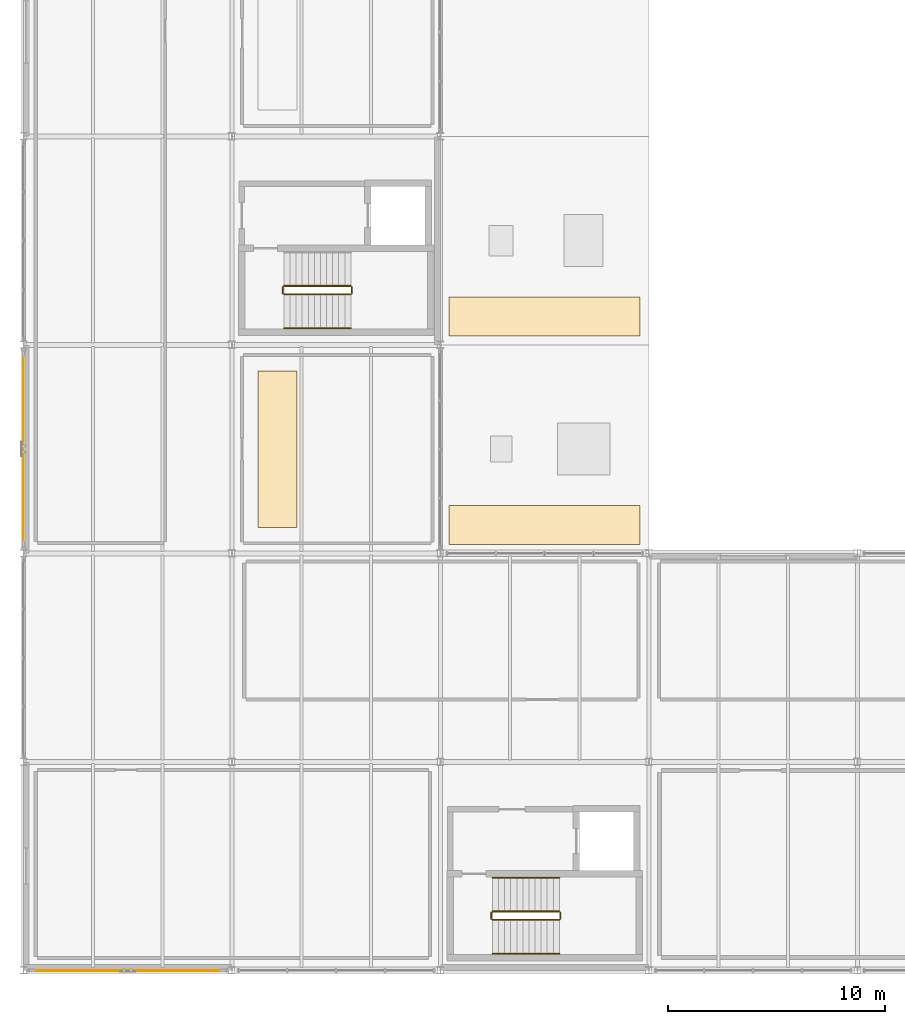
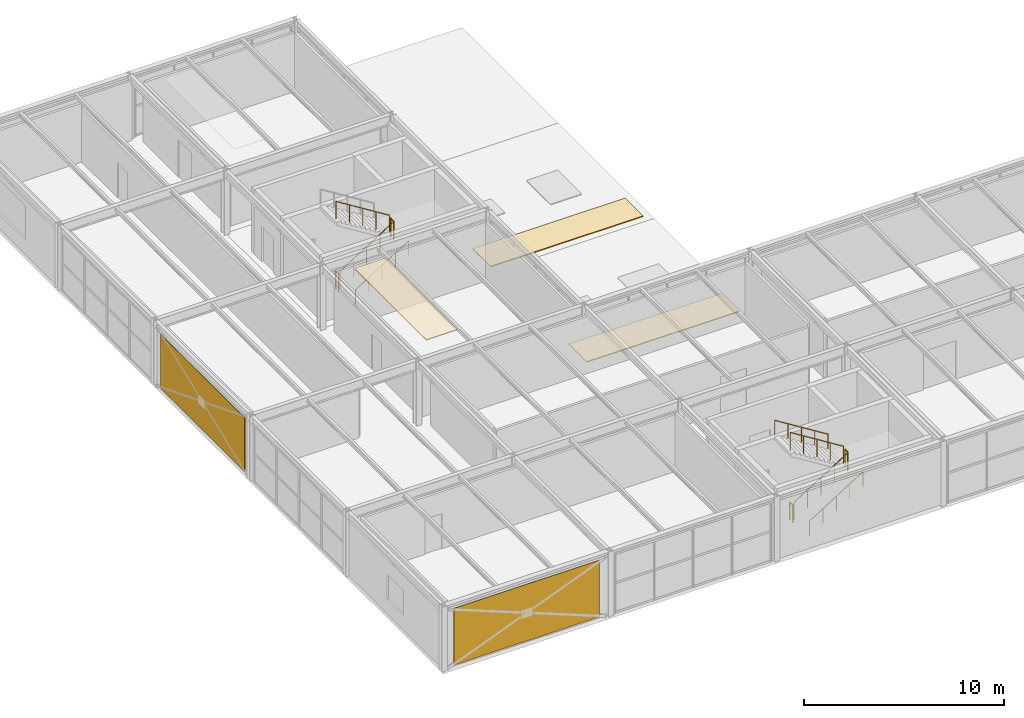
# One storey, part 47 of 50: 11 railings, 5 coverings.
"""IFC4 building model written with IfcOpenShell, lengths in metres."""

from ifc_helpers import new_model, si_unit, direction, frame, origin, origin_2d, place, context, subcontext, project, spatial, polyline, rectangle, circle, outline, extrude, material, layer, layer_set, type_object, element, save


model = new_model("IFC4")

# Units and contexts
model_context = context("Model", 3, precision=1e-05, world=origin(), true_north=direction((0.0, 1.0)))
body_context = subcontext(model_context, "Body", "Model", "MODEL_VIEW")
ifc_project = project(units=[si_unit("LENGTHUNIT", "METRE"), si_unit("AREAUNIT", "SQUARE_METRE"), si_unit("VOLUMEUNIT", "CUBIC_METRE"), si_unit("PLANEANGLEUNIT", "RADIAN"), si_unit("MASSUNIT", "GRAM", prefix="KILO")], contexts=[model_context])

# Site, building, storey
site_placement = place(None, origin())
site = spatial("IfcSite", under=ifc_project, at=site_placement, CompositionType="ELEMENT")
building_placement = place(site_placement, origin())
building = spatial("IfcBuilding", under=site, at=building_placement, Name="Coralgate Yard Interchange", CompositionType="ELEMENT")
storey_placement = place(building_placement, frame((0.0, 0.0, 14.699951171875)))
storey = spatial("IfcBuildingStorey", under=building, at=storey_placement, Name="L03", CompositionType="ELEMENT", Elevation=14.699951171875)

# Coverings
ifc_material_1 = material(Name="Perforated marine-grade aluminium acoustic ceiling raft", Category="aluminium")
ifc_layer_1 = layer(ifc_material_1, 0.0400390625)
ifc_layer_set_1 = layer_set([ifc_layer_1], Name="Perforated marine-grade aluminium acoustic ceiling raft")
covering_type_1 = type_object("IfcCoveringType", Name="COV-CEL1", PredefinedType="CEILING", material=ifc_layer_set_1)
covering_1_placement = place(storey_placement, frame((0.0, 0.0, 3.945068359375)))
element("IfcCovering", 1, at=covering_1_placement, inside=storey, type_object=covering_type_1, Name="Staff Welfare and HR Advisory Office acoustic soffit panel", PredefinedType="CEILING", context=body_context, shape_type="SweptSolid", body=[
    extrude(outline(polyline([(10.800048828125, 20.39990234375), (12.60009765625, 20.39990234375), (12.60009765625, 27.60009765625), (10.800048828125, 27.60009765625), (10.800048828125, 20.39990234375)])), origin(), (0.0, 0.0, 1.0), 0.0400390625),
])
ifc_material_2 = material(Name="Coral-buff architectural terracotta rainscreen cladding", Category="masonry")
ifc_layer_2 = layer(ifc_material_2, 0.0400390625)
ifc_layer_set_2 = layer_set([ifc_layer_2], Name="Coral-buff architectural terracotta rainscreen cladding")
covering_type_2 = type_object("IfcCoveringType", Name="COV-CLD1", PredefinedType="CLADDING", material=ifc_layer_set_2)
covering_2_placement = place(storey_placement, frame((4.800048828125, -0.02001953125, 0.10009765625), z_axis=(0.0, 0.0, 1.0), x_axis=(-1.0, 0.0, 0.0)))
element("IfcCovering", 2, at=covering_2_placement, inside=storey, type_object=covering_type_2, Name="L03 coastal terracotta cladding panel S-0-0", PredefinedType="CLADDING", context=body_context, shape_type="SweptSolid", body=[
    extrude(rectangle(XDim=8.39990234375, YDim=0.0400390625, at=origin_2d()), origin(), (0.0, 0.0, 1.0), 3.4599609375),
])
covering_3_placement = place(storey_placement, frame((-0.02001953125, 24.0, 0.10009765625), z_axis=(0.0, 0.0, 1.0), x_axis=(0.0, 1.0, 0.0)))
element("IfcCovering", 3, at=covering_3_placement, inside=storey, type_object=covering_type_2, Name="L03 coastal terracotta cladding panel W-0-2", PredefinedType="CLADDING", context=body_context, shape_type="SweptSolid", body=[
    extrude(rectangle(XDim=8.39990234375, YDim=0.0400390625, at=origin_2d()), origin(), (0.0, 0.0, 1.0), 3.29296875),
])
ifc_material_3 = material(Name="High-albedo solar-reflective TPO coastal roof membrane")
ifc_layer_3 = layer(ifc_material_3, 0.050048828125)
ifc_layer_set_3 = layer_set([ifc_layer_3], Name="High-albedo solar-reflective TPO coastal roof membrane")
covering_type_3 = type_object("IfcCoveringType", Name="COV-ROF1", PredefinedType="ROOFING", material=ifc_layer_set_3)
covering_4_placement = place(storey_placement, origin())
element("IfcCovering", 4, at=covering_4_placement, inside=storey, type_object=covering_type_3, Name="L03 high-albedo TPO roof membrane 5", PredefinedType="ROOFING", context=body_context, shape_type="SweptSolid", body=[
    extrude(outline(polyline([(19.60009765625, 19.60009765625), (28.39990234375, 19.60009765625), (28.39990234375, 21.39990234375), (19.60009765625, 21.39990234375), (19.60009765625, 19.60009765625)])), origin(), (0.0, 0.0, 1.0), 0.050048828125),
])
covering_5_placement = place(storey_placement, origin())
element("IfcCovering", 5, at=covering_5_placement, inside=storey, type_object=covering_type_3, Name="L03 high-albedo TPO roof membrane 6", PredefinedType="ROOFING", context=body_context, shape_type="SweptSolid", body=[
    extrude(outline(polyline([(19.60009765625, 29.199951171875), (28.39990234375, 29.199951171875), (28.39990234375, 31.0), (19.60009765625, 31.0), (19.60009765625, 29.199951171875)])), origin(), (0.0, 0.0, 1.0), 0.050048828125),
])

# Railings
ifc_material_4 = material(Name="Grade 316 marine stainless steel and toughened glass balustrade", Category="steel")
railing_type_1 = type_object("IfcRailingType", Name="RLG-GD1100", PredefinedType="BALUSTRADE", material=ifc_material_4)
railing_1_placement = place(storey_placement, frame((12.0, 31.1201171875, 0.175048828125)))
element("IfcRailing", 6, at=railing_1_placement, inside=storey, type_object=railing_type_1, Name="L03 ST-01 stair guard 1", PredefinedType="BALUSTRADE", context=body_context, shape_type="SweptSolid", body=[
    extrude(circle(Radius=0.02392578125, at=origin_2d()), frame((0.0, 0.0, 1.076171875), z_axis=(0.847998304005, 0.0, 0.529998940003), x_axis=(0.0, 1.0, 0.0)), (0.0, 0.0, 1.0), 3.632080078125),
    extrude(circle(Radius=0.02099609375, at=origin_2d()), origin(), (0.0, 0.0, 1.0), 1.051513671875),
    extrude(circle(Radius=0.02099609375, at=origin_2d()), frame((0.77001953125, 0.0, 0.481201171875)), (0.0, 0.0, 1.0), 1.051513671875),
    extrude(circle(Radius=0.02099609375, at=origin_2d()), frame((1.5400390625, 0.0, 0.96240234375)), (0.0, 0.0, 1.0), 1.051513671875),
    extrude(circle(Radius=0.02099609375, at=origin_2d()), frame((2.31005859375, 0.0, 1.44384765625)), (0.0, 0.0, 1.0), 1.051513671875),
    extrude(circle(Radius=0.02099609375, at=origin_2d()), frame((3.080078125, 0.0, 1.925048828125)), (0.0, 0.0, 1.0), 1.051513671875),
])
railing_2_placement = place(storey_placement, frame((15.1298828125, 31.169921875, 2.10009765625)))
element("IfcRailing", 7, at=railing_2_placement, inside=storey, type_object=railing_type_1, Name="L03 ST-01 stair guard 2", PredefinedType="BALUSTRADE", context=body_context, shape_type="SweptSolid", body=[
    extrude(circle(Radius=0.02392578125, at=origin_2d()), frame((0.0, 0.0, 1.076171875), z_axis=(0.0, 1.0, 0.0), x_axis=(-1.0, 0.0, 0.0)), (0.0, 0.0, 1.0), 0.2900390625),
    extrude(circle(Radius=0.02099609375, at=origin_2d()), origin(), (0.0, 0.0, 1.0), 1.051513671875),
    extrude(circle(Radius=0.02099609375, at=origin_2d()), frame((0.0, 0.2900390625, 0.0)), (0.0, 0.0, 1.0), 1.051513671875),
])
railing_3_placement = place(storey_placement, frame((15.080078125, 31.510009765625, 2.275146484375)))
element("IfcRailing", 8, at=railing_3_placement, inside=storey, type_object=railing_type_1, Name="L03 ST-01 stair guard 3", PredefinedType="BALUSTRADE", context=body_context, shape_type="SweptSolid", body=[
    extrude(circle(Radius=0.02392578125, at=origin_2d()), frame((0.0, 0.0, 1.076171875), z_axis=(-0.848028513186, 0.0, 0.529950602248), x_axis=(0.0, -1.0, 0.0)), (0.0, 0.0, 1.0), 3.632080078125),
    extrude(circle(Radius=0.02099609375, at=origin_2d()), origin(), (0.0, 0.0, 1.0), 1.051513671875),
    extrude(circle(Radius=0.02099609375, at=origin_2d()), frame((-0.77001953125, 0.0, 0.481201171875)), (0.0, 0.0, 1.0), 1.051513671875),
    extrude(circle(Radius=0.02099609375, at=origin_2d()), frame((-1.5400390625, 0.0, 0.96240234375)), (0.0, 0.0, 1.0), 1.051513671875),
    extrude(circle(Radius=0.02099609375, at=origin_2d()), frame((-2.31005859375, 0.0, 1.443603515625)), (0.0, 0.0, 1.0), 1.051513671875),
    extrude(circle(Radius=0.02099609375, at=origin_2d()), frame((-3.080078125, 0.0, 1.9248046875)), (0.0, 0.0, 1.0), 1.051513671875),
])
railing_4_placement = place(storey_placement, frame((11.949951171875, 31.169921875, 0.0)))
element("IfcRailing", 9, at=railing_4_placement, inside=storey, type_object=railing_type_1, Name="L03 ST-01 stair guard 4", PredefinedType="BALUSTRADE", context=body_context, shape_type="SweptSolid", body=[
    extrude(circle(Radius=0.02392578125, at=origin_2d()), frame((0.0, 0.0, 1.076171875), z_axis=(0.0, 1.0, 0.0), x_axis=(-1.0, 0.0, 0.0)), (0.0, 0.0, 1.0), 0.2900390625),
    extrude(circle(Radius=0.02099609375, at=origin_2d()), origin(), (0.0, 0.0, 1.0), 1.051513671875),
    extrude(circle(Radius=0.02099609375, at=origin_2d()), frame((0.0, 0.2900390625, 0.0)), (0.0, 0.0, 1.0), 1.051513671875),
])
railing_5_placement = place(storey_placement, frame((21.60009765625, 2.320068359375, 0.175048828125)))
element("IfcRailing", 10, at=railing_5_placement, inside=storey, type_object=railing_type_1, Name="L03 ST-03 stair guard 1", PredefinedType="BALUSTRADE", context=body_context, shape_type="SweptSolid", body=[
    extrude(circle(Radius=0.02392578125, at=origin_2d()), frame((0.0, 0.0, 1.076171875), z_axis=(0.847979421464, 0.0, 0.530029150871), x_axis=(0.0, 1.0, 0.0)), (0.0, 0.0, 1.0), 3.632080078125),
    extrude(circle(Radius=0.02099609375, at=origin_2d()), origin(), (0.0, 0.0, 1.0), 1.051513671875),
    extrude(circle(Radius=0.02099609375, at=origin_2d()), frame((0.77001953125, 0.0, 0.481201171875)), (0.0, 0.0, 1.0), 1.051513671875),
    extrude(circle(Radius=0.02099609375, at=origin_2d()), frame((1.5400390625, 0.0, 0.96240234375)), (0.0, 0.0, 1.0), 1.051513671875),
    extrude(circle(Radius=0.02099609375, at=origin_2d()), frame((2.309814453125, 0.0, 1.44384765625)), (0.0, 0.0, 1.0), 1.051513671875),
    extrude(circle(Radius=0.02099609375, at=origin_2d()), frame((3.079833984375, 0.0, 1.925048828125)), (0.0, 0.0, 1.0), 1.051513671875),
])
railing_6_placement = place(storey_placement, frame((24.72998046875, 2.3701171875, 2.10009765625)))
element("IfcRailing", 11, at=railing_6_placement, inside=storey, type_object=railing_type_1, Name="L03 ST-03 stair guard 2", PredefinedType="BALUSTRADE", context=body_context, shape_type="SweptSolid", body=[
    extrude(circle(Radius=0.02392578125, at=origin_2d()), frame((0.0, 0.0, 1.076171875), z_axis=(0.0, 1.0, 0.0), x_axis=(-1.0, 0.0, 0.0)), (0.0, 0.0, 1.0), 0.289794921875),
    extrude(circle(Radius=0.02099609375, at=origin_2d()), origin(), (0.0, 0.0, 1.0), 1.051513671875),
    extrude(circle(Radius=0.02099609375, at=origin_2d()), frame((0.0, 0.289794921875, 0.0)), (0.0, 0.0, 1.0), 1.051513671875),
])
railing_7_placement = place(storey_placement, frame((24.679931640625, 2.7099609375, 2.275146484375)))
element("IfcRailing", 12, at=railing_7_placement, inside=storey, type_object=railing_type_1, Name="L03 ST-03 stair guard 3", PredefinedType="BALUSTRADE", context=body_context, shape_type="SweptSolid", body=[
    extrude(circle(Radius=0.02392578125, at=origin_2d()), frame((0.0, 0.0, 1.076171875), z_axis=(-0.848009633417, 0.0, 0.529980812513), x_axis=(0.0, -1.0, 0.0)), (0.0, 0.0, 1.0), 3.6318359375),
    extrude(circle(Radius=0.02099609375, at=origin_2d()), origin(), (0.0, 0.0, 1.0), 1.051513671875),
    extrude(circle(Radius=0.02099609375, at=origin_2d()), frame((-0.77001953125, 0.0, 0.481201171875)), (0.0, 0.0, 1.0), 1.051513671875),
    extrude(circle(Radius=0.02099609375, at=origin_2d()), frame((-1.5400390625, 0.0, 0.96240234375)), (0.0, 0.0, 1.0), 1.051513671875),
    extrude(circle(Radius=0.02099609375, at=origin_2d()), frame((-2.309814453125, 0.0, 1.443603515625)), (0.0, 0.0, 1.0), 1.051513671875),
    extrude(circle(Radius=0.02099609375, at=origin_2d()), frame((-3.079833984375, 0.0, 1.9248046875)), (0.0, 0.0, 1.0), 1.051513671875),
])
railing_8_placement = place(storey_placement, frame((21.550048828125, 2.3701171875, 0.0)))
element("IfcRailing", 13, at=railing_8_placement, inside=storey, type_object=railing_type_1, Name="L03 ST-03 stair guard 4", PredefinedType="BALUSTRADE", context=body_context, shape_type="SweptSolid", body=[
    extrude(circle(Radius=0.02392578125, at=origin_2d()), frame((0.0, 0.0, 1.076171875), z_axis=(0.0, 1.0, 0.0), x_axis=(-1.0, 0.0, 0.0)), (0.0, 0.0, 1.0), 0.289794921875),
    extrude(circle(Radius=0.02099609375, at=origin_2d()), origin(), (0.0, 0.0, 1.0), 1.051513671875),
    extrude(circle(Radius=0.02099609375, at=origin_2d()), frame((0.0, 0.289794921875, 0.0)), (0.0, 0.0, 1.0), 1.051513671875),
])
ifc_material_5 = material(Name="Grade 316 marine stainless steel", Category="steel")
railing_type_2 = type_object("IfcRailingType", Name="RLG-HR900", PredefinedType="HANDRAIL", material=ifc_material_5)
railing_9_placement = place(storey_placement, frame((12.0, 29.570068359375, 0.175048828125)))
element("IfcRailing", 14, at=railing_9_placement, inside=storey, type_object=railing_type_2, Name="L03 ST-01 stair handrail 1", PredefinedType="HANDRAIL", context=body_context, shape_type="SweptSolid", body=[
    extrude(circle(Radius=0.02392578125, at=origin_2d()), frame((0.0, 0.0, 0.8759765625), z_axis=(0.847998304005, 0.0, 0.529998940003), x_axis=(0.0, 1.0, 0.0)), (0.0, 0.0, 1.0), 3.632080078125),
    extrude(circle(Radius=0.02099609375, at=origin_2d()), origin(), (0.0, 0.0, 1.0), 0.851318359375),
    extrude(circle(Radius=0.02099609375, at=origin_2d()), frame((0.77001953125, 0.0, 0.481201171875)), (0.0, 0.0, 1.0), 0.851318359375),
    extrude(circle(Radius=0.02099609375, at=origin_2d()), frame((1.5400390625, 0.0, 0.96240234375)), (0.0, 0.0, 1.0), 0.851318359375),
    extrude(circle(Radius=0.02099609375, at=origin_2d()), frame((2.31005859375, 0.0, 1.44384765625)), (0.0, 0.0, 1.0), 0.851318359375),
    extrude(circle(Radius=0.02099609375, at=origin_2d()), frame((3.080078125, 0.0, 1.925048828125)), (0.0, 0.0, 1.0), 0.851318359375),
])
railing_10_placement = place(storey_placement, frame((21.60009765625, 0.77001953125, 0.175048828125)))
element("IfcRailing", 15, at=railing_10_placement, inside=storey, type_object=railing_type_2, Name="L03 ST-03 stair handrail 1", PredefinedType="HANDRAIL", context=body_context, shape_type="SweptSolid", body=[
    extrude(circle(Radius=0.02392578125, at=origin_2d()), frame((0.0, 0.0, 0.8759765625), z_axis=(0.847979421464, 0.0, 0.530029150871), x_axis=(0.0, 1.0, 0.0)), (0.0, 0.0, 1.0), 3.632080078125),
    extrude(circle(Radius=0.02099609375, at=origin_2d()), origin(), (0.0, 0.0, 1.0), 0.851318359375),
    extrude(circle(Radius=0.02099609375, at=origin_2d()), frame((0.77001953125, 0.0, 0.481201171875)), (0.0, 0.0, 1.0), 0.851318359375),
    extrude(circle(Radius=0.02099609375, at=origin_2d()), frame((1.5400390625, 0.0, 0.96240234375)), (0.0, 0.0, 1.0), 0.851318359375),
    extrude(circle(Radius=0.02099609375, at=origin_2d()), frame((2.309814453125, 0.0, 1.44384765625)), (0.0, 0.0, 1.0), 0.851318359375),
    extrude(circle(Radius=0.02099609375, at=origin_2d()), frame((3.079833984375, 0.0, 1.925048828125)), (0.0, 0.0, 1.0), 0.851318359375),
])
railing_11_placement = place(storey_placement, frame((24.679931640625, 4.260009765625, 2.275146484375)))
element("IfcRailing", 16, at=railing_11_placement, inside=storey, type_object=railing_type_2, Name="L03 ST-03 stair handrail 2", PredefinedType="HANDRAIL", context=body_context, shape_type="SweptSolid", body=[
    extrude(circle(Radius=0.02392578125, at=origin_2d()), frame((0.0, 0.0, 0.8759765625), z_axis=(-0.848009633417, 0.0, 0.529980812513), x_axis=(0.0, -1.0, 0.0)), (0.0, 0.0, 1.0), 3.6318359375),
    extrude(circle(Radius=0.02099609375, at=origin_2d()), origin(), (0.0, 0.0, 1.0), 0.851318359375),
    extrude(circle(Radius=0.02099609375, at=origin_2d()), frame((-0.77001953125, 0.0, 0.481201171875)), (0.0, 0.0, 1.0), 0.851318359375),
    extrude(circle(Radius=0.02099609375, at=origin_2d()), frame((-1.5400390625, 0.0, 0.96240234375)), (0.0, 0.0, 1.0), 0.851318359375),
    extrude(circle(Radius=0.02099609375, at=origin_2d()), frame((-2.309814453125, 0.0, 1.443603515625)), (0.0, 0.0, 1.0), 0.851318359375),
    extrude(circle(Radius=0.02099609375, at=origin_2d()), frame((-3.079833984375, 0.0, 1.9248046875)), (0.0, 0.0, 1.0), 0.851318359375),
])

save(model, "model.ifc")
